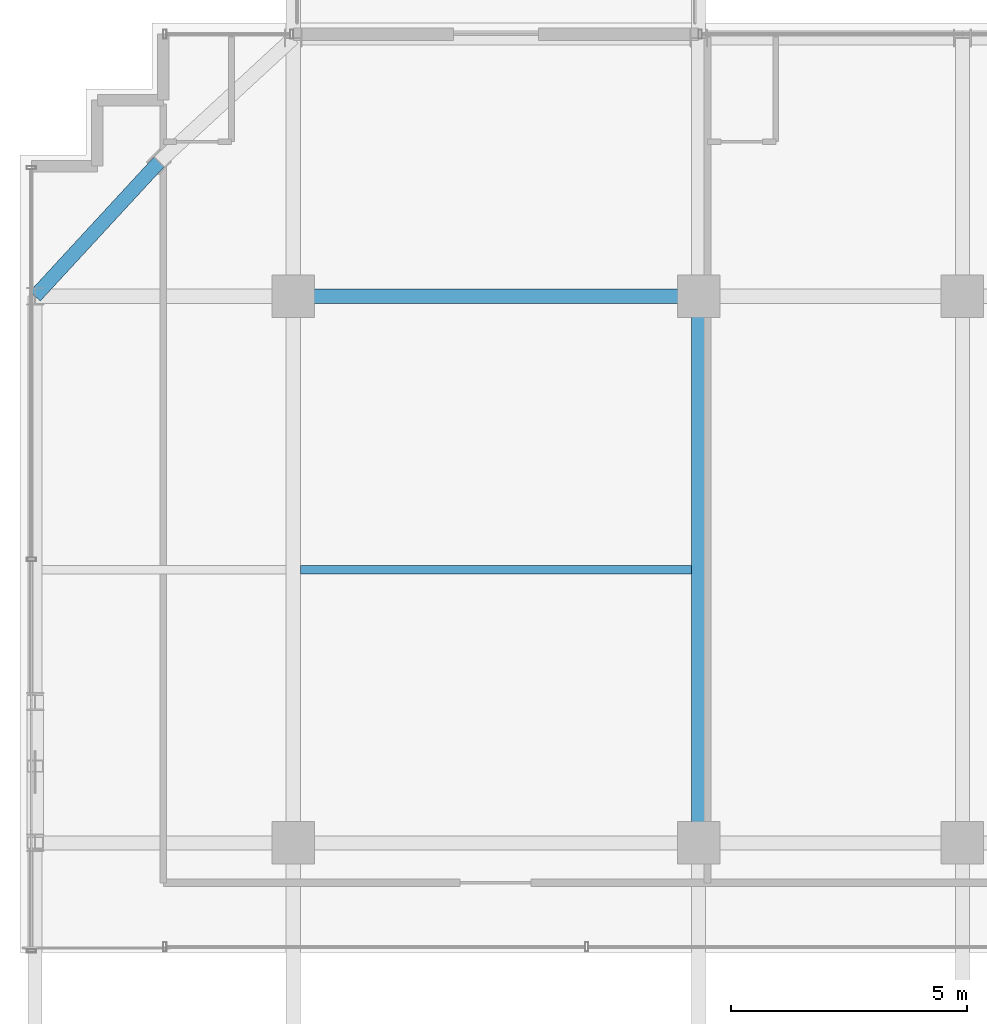
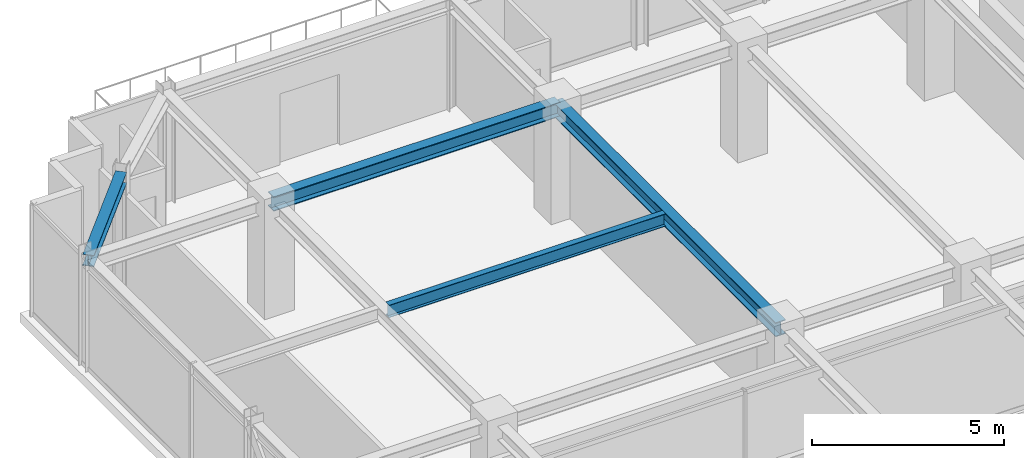
# One storey, part 24 of 39: 4 beams.
"""IFC4 building model written with IfcOpenShell, lengths in metres."""

import ifcopenshell
import ifcopenshell.guid

model = None  # the IFC model being written
_history = None  # IfcOwnerHistory: only IFC2X3 demands one
_inside = {}  # id of a spatial element -> (the spatial element, [elements in it])
_under = {}  # id of a project, library or spatial element -> (it, [spatial elements below it])
_declared = {}  # id of a project -> (the project, [libraries it declares])
_typed = {}  # id of a type object -> (the type object, [elements of that type])
_made_of = {}  # id of a material, layer set ... -> (it, [elements and type objects made of it])


def new_model(schema):
    """Start an empty IFC model of exactly this schema.

    Asked for "IFC4X3", IfcOpenShell would pick the latest addendum, in which some entities
    have other attributes; the version numbers below select the first issue.
    IFC2X3 requires an IfcOwnerHistory on every rooted entity: one is made here for all.
    """
    global model, _history
    if schema == "IFC4X3":
        model = ifcopenshell.file(schema_version=(4, 3, 0, 0))
    else:
        model = ifcopenshell.file(schema=schema)
    _inside.clear()
    _under.clear()
    _declared.clear()
    _typed.clear()
    _made_of.clear()
    _history = None
    if model.schema == "IFC2X3":
        org = make("IfcOrganization", Name="unknown")
        user = make(
            "IfcPersonAndOrganization",
            ThePerson=make("IfcPerson", FamilyName="unknown"),
            TheOrganization=org,
        )
        app = make(
            "IfcApplication",
            ApplicationDeveloper=org,
            Version="unknown",
            ApplicationFullName="unknown",
            ApplicationIdentifier="unknown",
        )
        _history = make(
            "IfcOwnerHistory",
            OwningUser=user,
            OwningApplication=app,
            ChangeAction="ADDED",
            CreationDate=0,
        )
    return model


def make(cls, **values):
    """One entity of the class cls with the attributes given. An attribute that is None is left unset."""
    return model.create_entity(
        cls, **{name: value for name, value in values.items() if value is not None}
    )


def rooted(cls, **values):
    """An entity with a GlobalId (a new one), such as an element, a storey or a relation."""
    return make(cls, GlobalId=ifcopenshell.guid.new(), OwnerHistory=_history, **values)


def si_unit(unit_type, name, prefix=None):
    """IfcSIUnit, for example si_unit("LENGTHUNIT", "METRE", prefix="MILLI")."""
    return make("IfcSIUnit", UnitType=unit_type, Prefix=prefix, Name=name)


def assignment(units):
    """IfcUnitAssignment: the units of a project."""
    return None if units is None else make("IfcUnitAssignment", Units=units)


def point(xyz):
    """IfcCartesianPoint."""
    return None if xyz is None else make("IfcCartesianPoint", Coordinates=xyz)


def direction(xyz):
    """IfcDirection."""
    return None if xyz is None else make("IfcDirection", DirectionRatios=xyz)


def frame(location, z_axis=None, x_axis=None):
    """IfcAxis2Placement3D, a coordinate frame: its origin and axes. An axis left out is left unset."""
    return make(
        "IfcAxis2Placement3D",
        Location=point(location),
        Axis=direction(z_axis),
        RefDirection=direction(x_axis),
    )


def frame_2d(location, x_axis=None):
    """IfcAxis2Placement2D, a coordinate frame in the plane: its origin and x axis."""
    return make(
        "IfcAxis2Placement2D", Location=point(location), RefDirection=direction(x_axis)
    )


def origin():
    """The frame at (0, 0, 0) with its axes left unset."""
    return frame((0.0, 0.0, 0.0))


def origin_2d():
    """The frame at (0, 0) in the plane with its x axis left unset."""
    return frame_2d((0.0, 0.0))


def place(relative_to, where):
    """IfcLocalPlacement: puts the frame where relative to a parent placement (None: the world)."""
    return make(
        "IfcLocalPlacement", PlacementRelTo=relative_to, RelativePlacement=where
    )


def context(
    kind, dimensions, precision=None, world=None, true_north=None, identifier=None
):
    """IfcGeometricRepresentationContext, for example the 3D "Model" context."""
    return make(
        "IfcGeometricRepresentationContext",
        ContextIdentifier=identifier,
        ContextType=kind,
        CoordinateSpaceDimension=dimensions,
        Precision=precision,
        WorldCoordinateSystem=world,
        TrueNorth=true_north,
    )


def subcontext(parent, identifier, kind, view, scale=None):
    """IfcGeometricRepresentationSubContext, for example "Body" below "Model"."""
    return make(
        "IfcGeometricRepresentationSubContext",
        ContextIdentifier=identifier,
        ContextType=kind,
        ParentContext=parent,
        TargetScale=scale,
        TargetView=view,
    )


def project(units=None, contexts=None):
    """IfcProject with its units and contexts."""
    return rooted(
        "IfcProject",
        Name="project",
        RepresentationContexts=contexts,
        UnitsInContext=assignment(units),
    )


def spatial(cls, under=None, at=None, **own):
    """A site, building, storey or space (cls), placed at a placement, below another one or the project."""
    s = rooted(cls, ObjectPlacement=at, **own)
    if under is not None:
        _under.setdefault(under.id(), (under, []))[1].append(s)
    return s


def profile(cls, at=None, kind="AREA", **sizes):
    """A parametric profile (cls). Its sizes go by their IFC names, for example OverallWidth=200.0."""
    return make(cls, ProfileType=kind, Position=at, **sizes)


def i_section(**sizes):
    """IfcIShapeProfileDef."""
    return profile("IfcIShapeProfileDef", **sizes)


def extrude(swept, where, along, depth):
    """IfcExtrudedAreaSolid: the profile swept, set in the frame where, extruded along a direction by depth."""
    return make(
        "IfcExtrudedAreaSolid",
        SweptArea=swept,
        Position=where,
        ExtrudedDirection=direction(along),
        Depth=depth,
    )


def shape(context_of_items, identifier, shape_type, items):
    """IfcShapeRepresentation: the items that make up one representation, for example the "Body"."""
    return make(
        "IfcShapeRepresentation",
        ContextOfItems=context_of_items,
        RepresentationIdentifier=identifier,
        RepresentationType=shape_type,
        Items=items,
    )


def source(mapping_origin, context_of_items, identifier, shape_type, items):
    """IfcRepresentationMap: a shape defined once, which mapped items show again and again."""
    return make(
        "IfcRepresentationMap",
        MappingOrigin=mapping_origin,
        MappedRepresentation=shape(context_of_items, identifier, shape_type, items),
    )


def transform(
    local_origin,
    x_axis=None,
    y_axis=None,
    z_axis=None,
    scale=None,
    scale2=None,
    scale3=None,
    uniform=True,
):
    """IfcCartesianTransformationOperator3D, or its non-uniform kind. x_axis, y_axis, z_axis: its Axis1, 2, 3."""
    if uniform:
        return make(
            "IfcCartesianTransformationOperator3D",
            Axis1=direction(x_axis),
            Axis2=direction(y_axis),
            LocalOrigin=point(local_origin),
            Scale=scale,
            Axis3=direction(z_axis),
        )
    return make(
        "IfcCartesianTransformationOperator3DnonUniform",
        Axis1=direction(x_axis),
        Axis2=direction(y_axis),
        LocalOrigin=point(local_origin),
        Scale=scale,
        Axis3=direction(z_axis),
        Scale2=scale2,
        Scale3=scale3,
    )


def mapped(mapping_source, mapping_target):
    """IfcMappedItem: shows the shape of a source again, moved by a transform."""
    return make(
        "IfcMappedItem", MappingSource=mapping_source, MappingTarget=mapping_target
    )


def material(Name=None, Category=None):
    """IfcMaterial."""
    return make("IfcMaterial", Name=Name, Category=Category)


def material_profile(
    of_material, cross_section, Name=None, Category=None, Priority=None
):
    """IfcMaterialProfile: a cross section and its material."""
    return make(
        "IfcMaterialProfile",
        Name=Name,
        Material=of_material,
        Profile=cross_section,
        Priority=Priority,
        Category=Category,
    )


def profile_set(profiles, Name=None, composite=None):
    """IfcMaterialProfileSet."""
    return make(
        "IfcMaterialProfileSet",
        Name=Name,
        MaterialProfiles=profiles,
        CompositeProfile=composite,
    )


def made_of(thing, what):
    """Note that an element or type object is made of a material, layer set ...; save() writes the relation."""
    if what is not None:
        _made_of.setdefault(what.id(), (what, []))[1].append(thing)
    return thing


def type_object(cls, material=None, **own):
    """A type object (cls), such as IfcWallType, which elements share."""
    return made_of(rooted(cls, **own), material)


def element(
    cls,
    number,
    at=None,
    inside=None,
    cuts=None,
    type_object=None,
    material=None,
    context=None,
    identifier="Body",
    shape_type=None,
    held_by="IfcProductDefinitionShape",
    body=None,
    shapes=None,
    **own,
):
    """One element of the class cls, such as IfcWall. Its Tag is "e" and its number.

    at: its placement. inside: the storey or other place that contains it. cuts: it is an
    opening in that element (IfcRelVoidsElement). A single representation is given by context,
    identifier, shape_type and body (its items); several are given by shapes. held_by: the class
    of the entity that holds the representations. save() writes the other relations.
    """
    e = rooted(cls, Tag="e%d" % number, ObjectPlacement=at, **own)
    if body is not None:
        shapes = [shape(context, identifier, shape_type, body)]
    if shapes is not None:
        e.Representation = make(held_by, Representations=shapes)
    if inside is not None:
        _inside.setdefault(inside.id(), (inside, []))[1].append(e)
    if cuts is not None:
        rooted(
            "IfcRelVoidsElement", RelatingBuildingElement=cuts, RelatedOpeningElement=e
        )
    if type_object is not None:
        _typed.setdefault(type_object.id(), (type_object, []))[1].append(e)
    return made_of(e, material)


def aggregate(whole, parts):
    """IfcRelAggregates: a whole, such as a stair, and the parts it consists of."""
    return rooted("IfcRelAggregates", RelatingObject=whole, RelatedObjects=parts)


def save(model, path):
    """Write the relations noted so far, then the file.

    IfcRelAggregates (storeys below a building ...), IfcRelContainedInSpatialStructure (elements
    in a storey), IfcRelDefinesByType, IfcRelAssociatesMaterial and IfcRelDeclares: one each for
    every whole, place, type object, material and project.
    """
    for whole, parts in _under.values():
        aggregate(whole, parts)
    for where, things in _inside.values():
        rooted(
            "IfcRelContainedInSpatialStructure",
            RelatedElements=things,
            RelatingStructure=where,
        )
    for kind, things in _typed.values():
        rooted("IfcRelDefinesByType", RelatedObjects=things, RelatingType=kind)
    for what, things in _made_of.values():
        rooted("IfcRelAssociatesMaterial", RelatedObjects=things, RelatingMaterial=what)
    for by, libraries in _declared.values():
        rooted("IfcRelDeclares", RelatingContext=by, RelatedDefinitions=libraries)
    model.write(path)


model = new_model("IFC4")

# Units and contexts
model_context = context("Model", 3, precision=1e-05, world=origin(), true_north=direction((0.0, 1.0)))
body_context = subcontext(model_context, "Body", "Model", "MODEL_VIEW")
ifc_project = project(units=[si_unit("LENGTHUNIT", "METRE"), si_unit("AREAUNIT", "SQUARE_METRE"), si_unit("VOLUMEUNIT", "CUBIC_METRE"), si_unit("PLANEANGLEUNIT", "RADIAN"), si_unit("MASSUNIT", "GRAM", prefix="KILO")], contexts=[model_context])

# Site, building, storey
site_placement = place(None, origin())
site = spatial("IfcSite", under=ifc_project, at=site_placement, CompositionType="ELEMENT")
building_placement = place(site_placement, origin())
building = spatial("IfcBuilding", under=site, at=building_placement, Name="Nahalor Promenade Grand Hotel", CompositionType="ELEMENT")
storey_placement = place(building_placement, frame((0.0, 0.0, 311.89990234375)))
storey = spatial("IfcBuildingStorey", under=building, at=storey_placement, Name="L80", CompositionType="ELEMENT", Elevation=311.89990234375)

# Beams
ifc_material = material(Name="Steel S355JR", Category="steel")
ifc_material_profile_1 = material_profile(ifc_material, i_section(OverallWidth=0.3, OverallDepth=0.45, WebThickness=0.014, FlangeThickness=0.026, at=origin_2d()), Name="HEB 450")
ifc_profile_set_1 = profile_set([ifc_material_profile_1], Name="Steel S355JR")
beam_type_1 = type_object("IfcBeamType", Name="Beam-Girder-HEB450", PredefinedType="BEAM", material=ifc_profile_set_1)
shared_shape_1 = source(origin(), body_context, "Body", "SweptSolid", [
    extrude(i_section(OverallWidth=0.3, OverallDepth=0.45, WebThickness=0.014, FlangeThickness=0.026, at=origin_2d()), origin(), (0.0, 0.0, 1.0), 8.60009765625),
])
beam_1_placement = place(storey_placement, frame((-17.0, 17.0, 3.3251953125), z_axis=(1.0, 0.0, 0.0), x_axis=(0.0, 1.0, 0.0)))
element("IfcBeam", 1, at=beam_1_placement, inside=storey, type_object=beam_type_1, Name="BM-L80-GX-3-1", PredefinedType="BEAM", context=body_context, shape_type="MappedRepresentation", body=[
    mapped(shared_shape_1, transform((0.0, 0.0, 0.0), scale=1.0)),
])
shared_shape_2 = source(origin(), body_context, "Body", "SweptSolid", [
    extrude(i_section(OverallWidth=0.3, OverallDepth=0.45, WebThickness=0.014, FlangeThickness=0.026, at=origin_2d()), origin(), (0.0, 0.0, 1.0), 11.60009765625),
])
beam_2_placement = place(storey_placement, frame((-8.39990234375, 5.39990234375, 3.3251953125), z_axis=(0.0, 1.0, 0.0), x_axis=(-1.0, 0.0, 0.0)))
element("IfcBeam", 2, at=beam_2_placement, inside=storey, type_object=beam_type_1, Name="BM-L80-GY-1-3", PredefinedType="BEAM", context=body_context, shape_type="MappedRepresentation", body=[
    mapped(shared_shape_2, transform((0.0, 0.0, 0.0), scale=1.0)),
])
ifc_material_profile_2 = material_profile(ifc_material, i_section(OverallWidth=0.18, OverallDepth=0.4, WebThickness=0.0086, FlangeThickness=0.0135, at=origin_2d()), Name="IPE 400")
ifc_profile_set_2 = profile_set([ifc_material_profile_2], Name="Steel S355JR")
beam_type_2 = type_object("IfcBeamType", Name="Beam-Joist-IPE400", PredefinedType="JOIST", material=ifc_profile_set_2)
shared_shape_3 = source(origin(), body_context, "Body", "SweptSolid", [
    extrude(i_section(OverallWidth=0.18, OverallDepth=0.4, WebThickness=0.0086, FlangeThickness=0.0135, at=origin_2d()), origin(), (0.0, 0.0, 1.0), 8.300048828125),
])
beam_3_placement = place(storey_placement, frame((-16.85009765625, 11.199951171875, 3.35009765625), z_axis=(1.0, 0.0, 0.0), x_axis=(0.0, 1.0, 0.0)))
element("IfcBeam", 3, at=beam_3_placement, inside=storey, type_object=beam_type_2, Name="BM-L80-JSW-1-1", PredefinedType="JOIST", context=body_context, shape_type="MappedRepresentation", body=[
    mapped(shared_shape_3, transform((0.0, 0.0, 0.0), scale=1.0)),
])
ifc_material_profile_3 = material_profile(ifc_material, i_section(OverallWidth=0.3, OverallDepth=0.36, WebThickness=0.0125, FlangeThickness=0.0225, at=origin_2d()), Name="HEB 360")
ifc_profile_set_3 = profile_set([ifc_material_profile_3], Name="Steel S355JR")
beam_type_3 = type_object("IfcBeamType", Name="Beam-Spandrel-HEB360", PredefinedType="SPANDREL", material=ifc_profile_set_3)
shared_shape_4 = source(origin(), body_context, "Body", "SweptSolid", [
    extrude(i_section(OverallWidth=0.3, OverallDepth=0.36, WebThickness=0.0125, FlangeThickness=0.0225, at=origin_2d()), origin(), (0.0, 0.0, 1.0), 3.878173828125),
])
beam_4_placement = place(storey_placement, frame((-19.85009765625, 19.85009765625, 3.3701171875), z_axis=(-0.678144125843, -0.73492893846, 0.0), x_axis=(0.73492893846, -0.678144125843, 0.0)))
element("IfcBeam", 4, at=beam_4_placement, inside=storey, type_object=beam_type_3, Name="BM-L80-SPC-NW-2", PredefinedType="SPANDREL", context=body_context, shape_type="MappedRepresentation", body=[
    mapped(shared_shape_4, transform((0.0, 0.0, 0.0), scale=1.0)),
])

save(model, "model.ifc")
